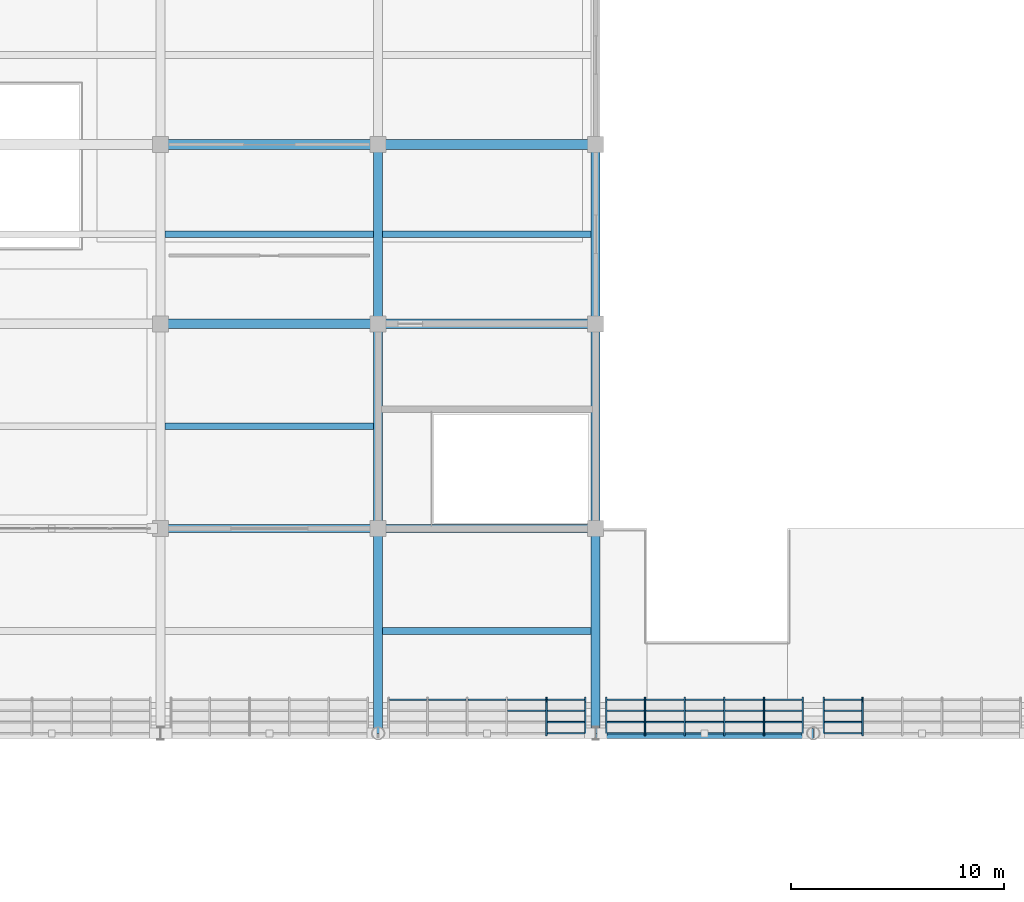
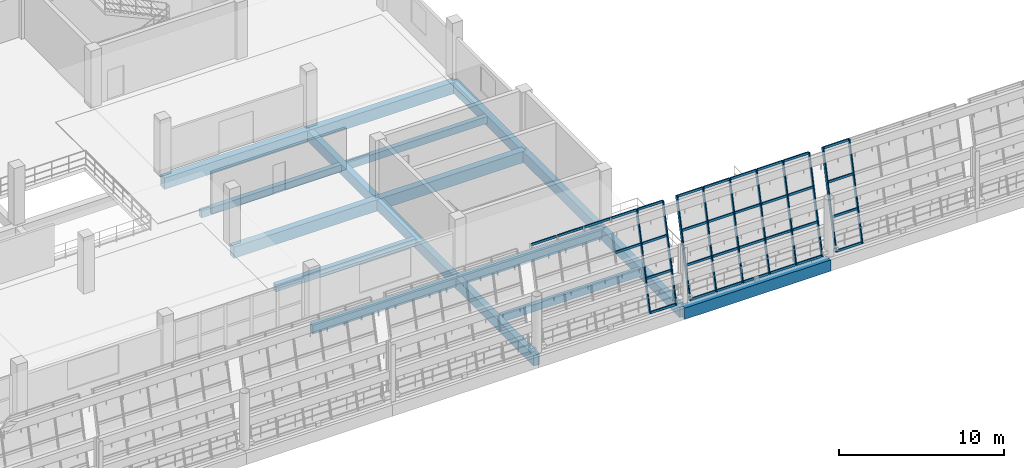
# One storey, part 46 of 157: 43 members, 17 beams, 3 elements without a shape of their own.
"""IFC4 building model written with IfcOpenShell, lengths in metres."""

from ifc_helpers import new_model, si_unit, direction, frame, origin, origin_2d, place, context, subcontext, project, spatial, rectangle, hollow_rectangle, extrude, material, material_profile, profile_set, type_object, element, aggregate, save


model = new_model("IFC4")

# Units and contexts
model_context = context("Model", 3, precision=1e-05, world=origin(), true_north=direction((0.0, 1.0)))
body_context = subcontext(model_context, "Body", "Model", "MODEL_VIEW")
ifc_project = project(units=[si_unit("LENGTHUNIT", "METRE"), si_unit("AREAUNIT", "SQUARE_METRE"), si_unit("VOLUMEUNIT", "CUBIC_METRE"), si_unit("PLANEANGLEUNIT", "RADIAN"), si_unit("MASSUNIT", "GRAM", prefix="KILO")], contexts=[model_context])

# Site, building, storey
site_placement = place(None, origin())
site = spatial("IfcSite", under=ifc_project, at=site_placement, CompositionType="ELEMENT")
building_placement = place(site_placement, origin())
building = spatial("IfcBuilding", under=site, at=building_placement, Name="Brelvane Convention Centre", CompositionType="ELEMENT")
storey_placement = place(building_placement, frame((0.0, 0.0, 10.800048828125)))
storey = spatial("IfcBuildingStorey", under=building, at=storey_placement, Name="L02", CompositionType="ELEMENT", Elevation=10.800048828125)

# Curtain wall, members
ifc_material_1 = material(Name="Anodised Aluminium Alloy 6063-T6", Category="aluminium")
curtain_wall_type = type_object("IfcCurtainWallType", Name="Curtain Wall CW-HULL-N", PredefinedType="USERDEFINED", material=ifc_material_1)
curtain_wall_1_placement = place(storey_placement, origin())
curtain_wall_1 = element("IfcCurtainWall", 1, at=curtain_wall_1_placement, inside=storey, type_object=curtain_wall_type, Name="Curtain Wall CW-HULL-N L02-V1N-HULL-11", ObjectType="UNITISED", PredefinedType="USERDEFINED")
ifc_material_2 = material(Name="Anodised Aluminium Alloy 6063-T6", Category="aluminium")
ifc_material_profile_1 = material_profile(ifc_material_2, hollow_rectangle(XDim=0.080078125, YDim=0.239990234375, WallThickness=0.006103515625, InnerFilletRadius=0.006103515625, OuterFilletRadius=0.011962890625, at=origin_2d()), Name="ALU-M 240x80x6.0")
ifc_profile_set_1 = profile_set([ifc_material_profile_1], Name="Anodised Aluminium Alloy 6063-T6")
member_type_1 = type_object("IfcMemberType", Name="Curtain Mullion CW-M1", PredefinedType="MULLION", material=ifc_profile_set_1)
member_1_placement = place(storey_placement, frame((109.889892578125, 99.60009765625, 0.0), z_axis=(0.0, 0.228324840492, 0.973585007698), x_axis=(-1.0, 0.0, 0.0)))
member_1 = element("IfcMember", 2, at=member_1_placement, type_object=member_type_1, Name="CW-HULL-N mullion 5", PredefinedType="MULLION", context=body_context, shape_type="SweptSolid", body=[
    extrude(hollow_rectangle(XDim=0.080078125, YDim=0.239990234375, WallThickness=0.006103515625, InnerFilletRadius=0.006103515625, OuterFilletRadius=0.011962890625, at=origin_2d()), origin(), (0.0, 0.0, 1.0), 6.93310546875),
])
member_2_placement = place(storey_placement, frame((111.7099609375, 99.60009765625, 0.0), z_axis=(0.0, 0.228324840492, 0.973585007698), x_axis=(-1.0, 0.0, 0.0)))
member_2 = element("IfcMember", 3, at=member_2_placement, type_object=member_type_1, Name="CW-HULL-N mullion 6", PredefinedType="MULLION", context=body_context, shape_type="SweptSolid", body=[
    extrude(hollow_rectangle(XDim=0.080078125, YDim=0.239990234375, WallThickness=0.006103515625, InnerFilletRadius=0.006103515625, OuterFilletRadius=0.011962890625, at=origin_2d()), origin(), (0.0, 0.0, 1.0), 6.93310546875),
])

curtain_wall_2_placement = place(storey_placement, origin())
curtain_wall_2 = element("IfcCurtainWall", 4, at=curtain_wall_2_placement, inside=storey, type_object=curtain_wall_type, Name="Curtain Wall CW-HULL-N L02-V1N-HULL-12", ObjectType="UNITISED", PredefinedType="USERDEFINED")
member_3_placement = place(storey_placement, frame((112.68994140625, 99.60009765625, 0.0), z_axis=(0.0, 0.228324840492, 0.973585007698), x_axis=(-1.0, 0.0, 0.0)))
member_3 = element("IfcMember", 5, at=member_3_placement, type_object=member_type_1, Name="CW-HULL-N mullion 1", PredefinedType="MULLION", context=body_context, shape_type="SweptSolid", body=[
    extrude(hollow_rectangle(XDim=0.080078125, YDim=0.239990234375, WallThickness=0.006103515625, InnerFilletRadius=0.006103515625, OuterFilletRadius=0.011962890625, at=origin_2d()), origin(), (0.0, 0.0, 1.0), 6.93310546875),
])
member_4_placement = place(storey_placement, frame((114.510009765625, 99.60009765625, 0.0), z_axis=(0.0, 0.228324840492, 0.973585007698), x_axis=(-1.0, 0.0, 0.0)))
member_4 = element("IfcMember", 6, at=member_4_placement, type_object=member_type_1, Name="CW-HULL-N mullion 2", PredefinedType="MULLION", context=body_context, shape_type="SweptSolid", body=[
    extrude(hollow_rectangle(XDim=0.080078125, YDim=0.239990234375, WallThickness=0.006103515625, InnerFilletRadius=0.006103515625, OuterFilletRadius=0.011962890625, at=origin_2d()), origin(), (0.0, 0.0, 1.0), 6.93310546875),
])
member_5_placement = place(storey_placement, frame((116.3701171875, 99.60009765625, 0.0), z_axis=(0.0, 0.228324840492, 0.973585007698), x_axis=(-1.0, 0.0, 0.0)))
member_5 = element("IfcMember", 7, at=member_5_placement, type_object=member_type_1, Name="CW-HULL-N mullion 3", PredefinedType="MULLION", context=body_context, shape_type="SweptSolid", body=[
    extrude(hollow_rectangle(XDim=0.080078125, YDim=0.239990234375, WallThickness=0.006103515625, InnerFilletRadius=0.006103515625, OuterFilletRadius=0.011962890625, at=origin_2d()), origin(), (0.0, 0.0, 1.0), 6.93310546875),
])
member_6_placement = place(storey_placement, frame((118.22998046875, 99.60009765625, 0.0), z_axis=(0.0, 0.228324840492, 0.973585007698), x_axis=(-1.0, 0.0, 0.0)))
member_6 = element("IfcMember", 8, at=member_6_placement, type_object=member_type_1, Name="CW-HULL-N mullion 4", PredefinedType="MULLION", context=body_context, shape_type="SweptSolid", body=[
    extrude(hollow_rectangle(XDim=0.080078125, YDim=0.239990234375, WallThickness=0.006103515625, InnerFilletRadius=0.006103515625, OuterFilletRadius=0.011962890625, at=origin_2d()), origin(), (0.0, 0.0, 1.0), 6.93310546875),
])
member_7_placement = place(storey_placement, frame((120.090087890625, 99.60009765625, 0.0), z_axis=(0.0, 0.228324840492, 0.973585007698), x_axis=(-1.0, 0.0, 0.0)))
member_7 = element("IfcMember", 9, at=member_7_placement, type_object=member_type_1, Name="CW-HULL-N mullion 5", PredefinedType="MULLION", context=body_context, shape_type="SweptSolid", body=[
    extrude(hollow_rectangle(XDim=0.080078125, YDim=0.239990234375, WallThickness=0.006103515625, InnerFilletRadius=0.006103515625, OuterFilletRadius=0.011962890625, at=origin_2d()), origin(), (0.0, 0.0, 1.0), 6.93310546875),
])
member_8_placement = place(storey_placement, frame((121.909912109375, 99.60009765625, 0.0), z_axis=(0.0, 0.228324840492, 0.973585007698), x_axis=(-1.0, 0.0, 0.0)))
member_8 = element("IfcMember", 10, at=member_8_placement, type_object=member_type_1, Name="CW-HULL-N mullion 6", PredefinedType="MULLION", context=body_context, shape_type="SweptSolid", body=[
    extrude(hollow_rectangle(XDim=0.080078125, YDim=0.239990234375, WallThickness=0.006103515625, InnerFilletRadius=0.006103515625, OuterFilletRadius=0.011962890625, at=origin_2d()), origin(), (0.0, 0.0, 1.0), 6.93310546875),
])

curtain_wall_3_placement = place(storey_placement, origin())
curtain_wall_3 = element("IfcCurtainWall", 11, at=curtain_wall_3_placement, inside=storey, type_object=curtain_wall_type, Name="Curtain Wall CW-HULL-N L02-V1N-HULL-13", ObjectType="UNITISED", PredefinedType="USERDEFINED")
member_9_placement = place(storey_placement, frame((122.889892578125, 99.60009765625, 0.0), z_axis=(0.0, 0.228324840492, 0.973585007698), x_axis=(-1.0, 0.0, 0.0)))
member_9 = element("IfcMember", 12, at=member_9_placement, type_object=member_type_1, Name="CW-HULL-N mullion 1", PredefinedType="MULLION", context=body_context, shape_type="SweptSolid", body=[
    extrude(hollow_rectangle(XDim=0.080078125, YDim=0.239990234375, WallThickness=0.006103515625, InnerFilletRadius=0.006103515625, OuterFilletRadius=0.011962890625, at=origin_2d()), origin(), (0.0, 0.0, 1.0), 6.93310546875),
])
member_10_placement = place(storey_placement, frame((124.7099609375, 99.60009765625, 0.0), z_axis=(0.0, 0.228324840492, 0.973585007698), x_axis=(-1.0, 0.0, 0.0)))
member_10 = element("IfcMember", 13, at=member_10_placement, type_object=member_type_1, Name="CW-HULL-N mullion 2", PredefinedType="MULLION", context=body_context, shape_type="SweptSolid", body=[
    extrude(hollow_rectangle(XDim=0.080078125, YDim=0.239990234375, WallThickness=0.006103515625, InnerFilletRadius=0.006103515625, OuterFilletRadius=0.011962890625, at=origin_2d()), origin(), (0.0, 0.0, 1.0), 6.93310546875),
])

# Member
ifc_material_3 = material(Name="Anodised Aluminium Alloy 6063-T6", Category="aluminium")
ifc_material_profile_2 = material_profile(ifc_material_3, hollow_rectangle(XDim=0.080078125, YDim=0.179931640625, WallThickness=0.0048828125, InnerFilletRadius=0.0048828125, OuterFilletRadius=0.010009765625, at=origin_2d()), Name="ALU-T 180x80x5.0")
ifc_profile_set_2 = profile_set([ifc_material_profile_2], Name="Anodised Aluminium Alloy 6063-T6")
member_type_2 = type_object("IfcMemberType", Name="Curtain Transom CW-T1", PredefinedType="USERDEFINED", material=ifc_profile_set_2)
member_11_placement = place(storey_placement, frame((102.530029296875, 101.173828125, 6.7099609375), z_axis=(1.0, 0.0, 0.0), x_axis=(0.0, 1.0, 0.0)))
member_11 = element("IfcMember", 14, at=member_11_placement, type_object=member_type_2, Name="CW-HULL-N transom 1.4", ObjectType="TRANSOM", PredefinedType="USERDEFINED", context=body_context, shape_type="SweptSolid", body=[
    extrude(hollow_rectangle(XDim=0.080078125, YDim=0.179931640625, WallThickness=0.0048828125, InnerFilletRadius=0.0048828125, OuterFilletRadius=0.010009765625, at=origin_2d()), origin(), (0.0, 0.0, 1.0), 1.739990234375),
])

member_12_placement = place(storey_placement, frame((104.35009765625, 101.173828125, 6.7099609375), z_axis=(1.0, 0.0, 0.0), x_axis=(0.0, 1.0, 0.0)))
member_12 = element("IfcMember", 15, at=member_12_placement, type_object=member_type_2, Name="CW-HULL-N transom 2.4", ObjectType="TRANSOM", PredefinedType="USERDEFINED", context=body_context, shape_type="SweptSolid", body=[
    extrude(hollow_rectangle(XDim=0.080078125, YDim=0.179931640625, WallThickness=0.0048828125, InnerFilletRadius=0.0048828125, OuterFilletRadius=0.010009765625, at=origin_2d()), origin(), (0.0, 0.0, 1.0), 1.77978515625),
])

member_13_placement = place(storey_placement, frame((106.2099609375, 101.173828125, 6.7099609375), z_axis=(1.0, 0.0, 0.0), x_axis=(0.0, 1.0, 0.0)))
member_13 = element("IfcMember", 16, at=member_13_placement, type_object=member_type_2, Name="CW-HULL-N transom 3.4", ObjectType="TRANSOM", PredefinedType="USERDEFINED", context=body_context, shape_type="SweptSolid", body=[
    extrude(hollow_rectangle(XDim=0.080078125, YDim=0.179931640625, WallThickness=0.0048828125, InnerFilletRadius=0.0048828125, OuterFilletRadius=0.010009765625, at=origin_2d()), origin(), (0.0, 0.0, 1.0), 1.780029296875),
])

member_14_placement = place(storey_placement, frame((108.070068359375, 100.655517578125, 4.5), z_axis=(1.0, 0.0, 0.0), x_axis=(0.0, 1.0, 0.0)))
member_14 = element("IfcMember", 17, at=member_14_placement, type_object=member_type_2, Name="CW-HULL-N transom 4.3", ObjectType="TRANSOM", PredefinedType="USERDEFINED", context=body_context, shape_type="SweptSolid", body=[
    extrude(hollow_rectangle(XDim=0.080078125, YDim=0.179931640625, WallThickness=0.0048828125, InnerFilletRadius=0.0048828125, OuterFilletRadius=0.010009765625, at=origin_2d()), origin(), (0.0, 0.0, 1.0), 1.780029296875),
])

member_15_placement = place(storey_placement, frame((108.070068359375, 101.173828125, 6.7099609375), z_axis=(1.0, 0.0, 0.0), x_axis=(0.0, 1.0, 0.0)))
member_15 = element("IfcMember", 18, at=member_15_placement, type_object=member_type_2, Name="CW-HULL-N transom 4.4", ObjectType="TRANSOM", PredefinedType="USERDEFINED", context=body_context, shape_type="SweptSolid", body=[
    extrude(hollow_rectangle(XDim=0.080078125, YDim=0.179931640625, WallThickness=0.0048828125, InnerFilletRadius=0.0048828125, OuterFilletRadius=0.010009765625, at=origin_2d()), origin(), (0.0, 0.0, 1.0), 1.780029296875),
])

member_16_placement = place(storey_placement, frame((109.929931640625, 99.609375, 0.0400390625), z_axis=(1.0, 0.0, 0.0), x_axis=(0.0, 1.0, 0.0)))
member_16 = element("IfcMember", 19, at=member_16_placement, type_object=member_type_2, Name="CW-HULL-N transom 5.1", ObjectType="TRANSOM", PredefinedType="USERDEFINED", context=body_context, shape_type="SweptSolid", body=[
    extrude(hollow_rectangle(XDim=0.080078125, YDim=0.179931640625, WallThickness=0.0048828125, InnerFilletRadius=0.0048828125, OuterFilletRadius=0.010009765625, at=origin_2d()), origin(), (0.0, 0.0, 1.0), 1.739990234375),
])

member_17_placement = place(storey_placement, frame((109.929931640625, 100.127685546875, 2.25), z_axis=(1.0, 0.0, 0.0), x_axis=(0.0, 1.0, 0.0)))
member_17 = element("IfcMember", 20, at=member_17_placement, type_object=member_type_2, Name="CW-HULL-N transom 5.2", ObjectType="TRANSOM", PredefinedType="USERDEFINED", context=body_context, shape_type="SweptSolid", body=[
    extrude(hollow_rectangle(XDim=0.080078125, YDim=0.179931640625, WallThickness=0.0048828125, InnerFilletRadius=0.0048828125, OuterFilletRadius=0.010009765625, at=origin_2d()), origin(), (0.0, 0.0, 1.0), 1.739990234375),
])

member_18_placement = place(storey_placement, frame((109.929931640625, 100.655517578125, 4.5), z_axis=(1.0, 0.0, 0.0), x_axis=(0.0, 1.0, 0.0)))
member_18 = element("IfcMember", 21, at=member_18_placement, type_object=member_type_2, Name="CW-HULL-N transom 5.3", ObjectType="TRANSOM", PredefinedType="USERDEFINED", context=body_context, shape_type="SweptSolid", body=[
    extrude(hollow_rectangle(XDim=0.080078125, YDim=0.179931640625, WallThickness=0.0048828125, InnerFilletRadius=0.0048828125, OuterFilletRadius=0.010009765625, at=origin_2d()), origin(), (0.0, 0.0, 1.0), 1.739990234375),
])

member_19_placement = place(storey_placement, frame((109.929931640625, 101.173828125, 6.7099609375), z_axis=(1.0, 0.0, 0.0), x_axis=(0.0, 1.0, 0.0)))
member_19 = element("IfcMember", 22, at=member_19_placement, type_object=member_type_2, Name="CW-HULL-N transom 5.4", ObjectType="TRANSOM", PredefinedType="USERDEFINED", context=body_context, shape_type="SweptSolid", body=[
    extrude(hollow_rectangle(XDim=0.080078125, YDim=0.179931640625, WallThickness=0.0048828125, InnerFilletRadius=0.0048828125, OuterFilletRadius=0.010009765625, at=origin_2d()), origin(), (0.0, 0.0, 1.0), 1.739990234375),
])

aggregate(curtain_wall_1, [member_1, member_2, member_11, member_12, member_13, member_14, member_15, member_16, member_17, member_18, member_19])

member_20_placement = place(storey_placement, frame((112.72998046875, 99.609375, 0.0400390625), z_axis=(1.0, 0.0, 0.0), x_axis=(0.0, 1.0, 0.0)))
member_20 = element("IfcMember", 23, at=member_20_placement, type_object=member_type_2, Name="CW-HULL-N transom 1.1", ObjectType="TRANSOM", PredefinedType="USERDEFINED", context=body_context, shape_type="SweptSolid", body=[
    extrude(hollow_rectangle(XDim=0.080078125, YDim=0.179931640625, WallThickness=0.0048828125, InnerFilletRadius=0.0048828125, OuterFilletRadius=0.010009765625, at=origin_2d()), origin(), (0.0, 0.0, 1.0), 1.739990234375),
])

member_21_placement = place(storey_placement, frame((112.72998046875, 100.127685546875, 2.25), z_axis=(1.0, 0.0, 0.0), x_axis=(0.0, 1.0, 0.0)))
member_21 = element("IfcMember", 24, at=member_21_placement, type_object=member_type_2, Name="CW-HULL-N transom 1.2", ObjectType="TRANSOM", PredefinedType="USERDEFINED", context=body_context, shape_type="SweptSolid", body=[
    extrude(hollow_rectangle(XDim=0.080078125, YDim=0.179931640625, WallThickness=0.0048828125, InnerFilletRadius=0.0048828125, OuterFilletRadius=0.010009765625, at=origin_2d()), origin(), (0.0, 0.0, 1.0), 1.739990234375),
])

member_22_placement = place(storey_placement, frame((112.72998046875, 100.655517578125, 4.5), z_axis=(1.0, 0.0, 0.0), x_axis=(0.0, 1.0, 0.0)))
member_22 = element("IfcMember", 25, at=member_22_placement, type_object=member_type_2, Name="CW-HULL-N transom 1.3", ObjectType="TRANSOM", PredefinedType="USERDEFINED", context=body_context, shape_type="SweptSolid", body=[
    extrude(hollow_rectangle(XDim=0.080078125, YDim=0.179931640625, WallThickness=0.0048828125, InnerFilletRadius=0.0048828125, OuterFilletRadius=0.010009765625, at=origin_2d()), origin(), (0.0, 0.0, 1.0), 1.739990234375),
])

member_23_placement = place(storey_placement, frame((112.72998046875, 101.173828125, 6.7099609375), z_axis=(1.0, 0.0, 0.0), x_axis=(0.0, 1.0, 0.0)))
member_23 = element("IfcMember", 26, at=member_23_placement, type_object=member_type_2, Name="CW-HULL-N transom 1.4", ObjectType="TRANSOM", PredefinedType="USERDEFINED", context=body_context, shape_type="SweptSolid", body=[
    extrude(hollow_rectangle(XDim=0.080078125, YDim=0.179931640625, WallThickness=0.0048828125, InnerFilletRadius=0.0048828125, OuterFilletRadius=0.010009765625, at=origin_2d()), origin(), (0.0, 0.0, 1.0), 1.739990234375),
])

member_24_placement = place(storey_placement, frame((114.550048828125, 99.609375, 0.0400390625), z_axis=(1.0, 0.0, 0.0), x_axis=(0.0, 1.0, 0.0)))
member_24 = element("IfcMember", 27, at=member_24_placement, type_object=member_type_2, Name="CW-HULL-N transom 2.1", ObjectType="TRANSOM", PredefinedType="USERDEFINED", context=body_context, shape_type="SweptSolid", body=[
    extrude(hollow_rectangle(XDim=0.080078125, YDim=0.179931640625, WallThickness=0.0048828125, InnerFilletRadius=0.0048828125, OuterFilletRadius=0.010009765625, at=origin_2d()), origin(), (0.0, 0.0, 1.0), 1.780029296875),
])

member_25_placement = place(storey_placement, frame((114.550048828125, 100.127685546875, 2.25), z_axis=(1.0, 0.0, 0.0), x_axis=(0.0, 1.0, 0.0)))
member_25 = element("IfcMember", 28, at=member_25_placement, type_object=member_type_2, Name="CW-HULL-N transom 2.2", ObjectType="TRANSOM", PredefinedType="USERDEFINED", context=body_context, shape_type="SweptSolid", body=[
    extrude(hollow_rectangle(XDim=0.080078125, YDim=0.179931640625, WallThickness=0.0048828125, InnerFilletRadius=0.0048828125, OuterFilletRadius=0.010009765625, at=origin_2d()), origin(), (0.0, 0.0, 1.0), 1.780029296875),
])

member_26_placement = place(storey_placement, frame((114.550048828125, 100.655517578125, 4.5), z_axis=(1.0, 0.0, 0.0), x_axis=(0.0, 1.0, 0.0)))
member_26 = element("IfcMember", 29, at=member_26_placement, type_object=member_type_2, Name="CW-HULL-N transom 2.3", ObjectType="TRANSOM", PredefinedType="USERDEFINED", context=body_context, shape_type="SweptSolid", body=[
    extrude(hollow_rectangle(XDim=0.080078125, YDim=0.179931640625, WallThickness=0.0048828125, InnerFilletRadius=0.0048828125, OuterFilletRadius=0.010009765625, at=origin_2d()), origin(), (0.0, 0.0, 1.0), 1.780029296875),
])

member_27_placement = place(storey_placement, frame((114.550048828125, 101.173828125, 6.7099609375), z_axis=(1.0, 0.0, 0.0), x_axis=(0.0, 1.0, 0.0)))
member_27 = element("IfcMember", 30, at=member_27_placement, type_object=member_type_2, Name="CW-HULL-N transom 2.4", ObjectType="TRANSOM", PredefinedType="USERDEFINED", context=body_context, shape_type="SweptSolid", body=[
    extrude(hollow_rectangle(XDim=0.080078125, YDim=0.179931640625, WallThickness=0.0048828125, InnerFilletRadius=0.0048828125, OuterFilletRadius=0.010009765625, at=origin_2d()), origin(), (0.0, 0.0, 1.0), 1.780029296875),
])

member_28_placement = place(storey_placement, frame((116.409912109375, 99.609375, 0.0400390625), z_axis=(1.0, 0.0, 0.0), x_axis=(0.0, 1.0, 0.0)))
member_28 = element("IfcMember", 31, at=member_28_placement, type_object=member_type_2, Name="CW-HULL-N transom 3.1", ObjectType="TRANSOM", PredefinedType="USERDEFINED", context=body_context, shape_type="SweptSolid", body=[
    extrude(hollow_rectangle(XDim=0.080078125, YDim=0.179931640625, WallThickness=0.0048828125, InnerFilletRadius=0.0048828125, OuterFilletRadius=0.010009765625, at=origin_2d()), origin(), (0.0, 0.0, 1.0), 1.780029296875),
])

member_29_placement = place(storey_placement, frame((116.409912109375, 100.127685546875, 2.25), z_axis=(1.0, 0.0, 0.0), x_axis=(0.0, 1.0, 0.0)))
member_29 = element("IfcMember", 32, at=member_29_placement, type_object=member_type_2, Name="CW-HULL-N transom 3.2", ObjectType="TRANSOM", PredefinedType="USERDEFINED", context=body_context, shape_type="SweptSolid", body=[
    extrude(hollow_rectangle(XDim=0.080078125, YDim=0.179931640625, WallThickness=0.0048828125, InnerFilletRadius=0.0048828125, OuterFilletRadius=0.010009765625, at=origin_2d()), origin(), (0.0, 0.0, 1.0), 1.780029296875),
])

member_30_placement = place(storey_placement, frame((116.409912109375, 100.655517578125, 4.5), z_axis=(1.0, 0.0, 0.0), x_axis=(0.0, 1.0, 0.0)))
member_30 = element("IfcMember", 33, at=member_30_placement, type_object=member_type_2, Name="CW-HULL-N transom 3.3", ObjectType="TRANSOM", PredefinedType="USERDEFINED", context=body_context, shape_type="SweptSolid", body=[
    extrude(hollow_rectangle(XDim=0.080078125, YDim=0.179931640625, WallThickness=0.0048828125, InnerFilletRadius=0.0048828125, OuterFilletRadius=0.010009765625, at=origin_2d()), origin(), (0.0, 0.0, 1.0), 1.780029296875),
])

member_31_placement = place(storey_placement, frame((116.409912109375, 101.173828125, 6.7099609375), z_axis=(1.0, 0.0, 0.0), x_axis=(0.0, 1.0, 0.0)))
member_31 = element("IfcMember", 34, at=member_31_placement, type_object=member_type_2, Name="CW-HULL-N transom 3.4", ObjectType="TRANSOM", PredefinedType="USERDEFINED", context=body_context, shape_type="SweptSolid", body=[
    extrude(hollow_rectangle(XDim=0.080078125, YDim=0.179931640625, WallThickness=0.0048828125, InnerFilletRadius=0.0048828125, OuterFilletRadius=0.010009765625, at=origin_2d()), origin(), (0.0, 0.0, 1.0), 1.780029296875),
])

member_32_placement = place(storey_placement, frame((118.27001953125, 99.609375, 0.0400390625), z_axis=(1.0, 0.0, 0.0), x_axis=(0.0, 1.0, 0.0)))
member_32 = element("IfcMember", 35, at=member_32_placement, type_object=member_type_2, Name="CW-HULL-N transom 4.1", ObjectType="TRANSOM", PredefinedType="USERDEFINED", context=body_context, shape_type="SweptSolid", body=[
    extrude(hollow_rectangle(XDim=0.080078125, YDim=0.179931640625, WallThickness=0.0048828125, InnerFilletRadius=0.0048828125, OuterFilletRadius=0.010009765625, at=origin_2d()), origin(), (0.0, 0.0, 1.0), 1.780029296875),
])

member_33_placement = place(storey_placement, frame((118.27001953125, 100.127685546875, 2.25), z_axis=(1.0, 0.0, 0.0), x_axis=(0.0, 1.0, 0.0)))
member_33 = element("IfcMember", 36, at=member_33_placement, type_object=member_type_2, Name="CW-HULL-N transom 4.2", ObjectType="TRANSOM", PredefinedType="USERDEFINED", context=body_context, shape_type="SweptSolid", body=[
    extrude(hollow_rectangle(XDim=0.080078125, YDim=0.179931640625, WallThickness=0.0048828125, InnerFilletRadius=0.0048828125, OuterFilletRadius=0.010009765625, at=origin_2d()), origin(), (0.0, 0.0, 1.0), 1.780029296875),
])

member_34_placement = place(storey_placement, frame((118.27001953125, 100.655517578125, 4.5), z_axis=(1.0, 0.0, 0.0), x_axis=(0.0, 1.0, 0.0)))
member_34 = element("IfcMember", 37, at=member_34_placement, type_object=member_type_2, Name="CW-HULL-N transom 4.3", ObjectType="TRANSOM", PredefinedType="USERDEFINED", context=body_context, shape_type="SweptSolid", body=[
    extrude(hollow_rectangle(XDim=0.080078125, YDim=0.179931640625, WallThickness=0.0048828125, InnerFilletRadius=0.0048828125, OuterFilletRadius=0.010009765625, at=origin_2d()), origin(), (0.0, 0.0, 1.0), 1.780029296875),
])

member_35_placement = place(storey_placement, frame((118.27001953125, 101.173828125, 6.7099609375), z_axis=(1.0, 0.0, 0.0), x_axis=(0.0, 1.0, 0.0)))
member_35 = element("IfcMember", 38, at=member_35_placement, type_object=member_type_2, Name="CW-HULL-N transom 4.4", ObjectType="TRANSOM", PredefinedType="USERDEFINED", context=body_context, shape_type="SweptSolid", body=[
    extrude(hollow_rectangle(XDim=0.080078125, YDim=0.179931640625, WallThickness=0.0048828125, InnerFilletRadius=0.0048828125, OuterFilletRadius=0.010009765625, at=origin_2d()), origin(), (0.0, 0.0, 1.0), 1.780029296875),
])

member_36_placement = place(storey_placement, frame((120.1298828125, 99.609375, 0.0400390625), z_axis=(1.0, 0.0, 0.0), x_axis=(0.0, 1.0, 0.0)))
member_36 = element("IfcMember", 39, at=member_36_placement, type_object=member_type_2, Name="CW-HULL-N transom 5.1", ObjectType="TRANSOM", PredefinedType="USERDEFINED", context=body_context, shape_type="SweptSolid", body=[
    extrude(hollow_rectangle(XDim=0.080078125, YDim=0.179931640625, WallThickness=0.0048828125, InnerFilletRadius=0.0048828125, OuterFilletRadius=0.010009765625, at=origin_2d()), origin(), (0.0, 0.0, 1.0), 1.740234375),
])

member_37_placement = place(storey_placement, frame((120.1298828125, 100.127685546875, 2.25), z_axis=(1.0, 0.0, 0.0), x_axis=(0.0, 1.0, 0.0)))
member_37 = element("IfcMember", 40, at=member_37_placement, type_object=member_type_2, Name="CW-HULL-N transom 5.2", ObjectType="TRANSOM", PredefinedType="USERDEFINED", context=body_context, shape_type="SweptSolid", body=[
    extrude(hollow_rectangle(XDim=0.080078125, YDim=0.179931640625, WallThickness=0.0048828125, InnerFilletRadius=0.0048828125, OuterFilletRadius=0.010009765625, at=origin_2d()), origin(), (0.0, 0.0, 1.0), 1.740234375),
])

member_38_placement = place(storey_placement, frame((120.1298828125, 100.655517578125, 4.5), z_axis=(1.0, 0.0, 0.0), x_axis=(0.0, 1.0, 0.0)))
member_38 = element("IfcMember", 41, at=member_38_placement, type_object=member_type_2, Name="CW-HULL-N transom 5.3", ObjectType="TRANSOM", PredefinedType="USERDEFINED", context=body_context, shape_type="SweptSolid", body=[
    extrude(hollow_rectangle(XDim=0.080078125, YDim=0.179931640625, WallThickness=0.0048828125, InnerFilletRadius=0.0048828125, OuterFilletRadius=0.010009765625, at=origin_2d()), origin(), (0.0, 0.0, 1.0), 1.740234375),
])

member_39_placement = place(storey_placement, frame((120.1298828125, 101.173828125, 6.7099609375), z_axis=(1.0, 0.0, 0.0), x_axis=(0.0, 1.0, 0.0)))
member_39 = element("IfcMember", 42, at=member_39_placement, type_object=member_type_2, Name="CW-HULL-N transom 5.4", ObjectType="TRANSOM", PredefinedType="USERDEFINED", context=body_context, shape_type="SweptSolid", body=[
    extrude(hollow_rectangle(XDim=0.080078125, YDim=0.179931640625, WallThickness=0.0048828125, InnerFilletRadius=0.0048828125, OuterFilletRadius=0.010009765625, at=origin_2d()), origin(), (0.0, 0.0, 1.0), 1.740234375),
])

aggregate(curtain_wall_2, [member_3, member_4, member_5, member_6, member_7, member_8, member_20, member_21, member_22, member_23, member_24, member_25, member_26, member_27, member_28, member_29, member_30, member_31, member_32, member_33, member_34, member_35, member_36, member_37, member_38, member_39])

member_40_placement = place(storey_placement, frame((122.929931640625, 99.609375, 0.0400390625), z_axis=(1.0, 0.0, 0.0), x_axis=(0.0, 1.0, 0.0)))
member_40 = element("IfcMember", 43, at=member_40_placement, type_object=member_type_2, Name="CW-HULL-N transom 1.1", ObjectType="TRANSOM", PredefinedType="USERDEFINED", context=body_context, shape_type="SweptSolid", body=[
    extrude(hollow_rectangle(XDim=0.080078125, YDim=0.179931640625, WallThickness=0.0048828125, InnerFilletRadius=0.0048828125, OuterFilletRadius=0.010009765625, at=origin_2d()), origin(), (0.0, 0.0, 1.0), 1.739990234375),
])

member_41_placement = place(storey_placement, frame((122.929931640625, 100.127685546875, 2.25), z_axis=(1.0, 0.0, 0.0), x_axis=(0.0, 1.0, 0.0)))
member_41 = element("IfcMember", 44, at=member_41_placement, type_object=member_type_2, Name="CW-HULL-N transom 1.2", ObjectType="TRANSOM", PredefinedType="USERDEFINED", context=body_context, shape_type="SweptSolid", body=[
    extrude(hollow_rectangle(XDim=0.080078125, YDim=0.179931640625, WallThickness=0.0048828125, InnerFilletRadius=0.0048828125, OuterFilletRadius=0.010009765625, at=origin_2d()), origin(), (0.0, 0.0, 1.0), 1.739990234375),
])

member_42_placement = place(storey_placement, frame((122.929931640625, 100.655517578125, 4.5), z_axis=(1.0, 0.0, 0.0), x_axis=(0.0, 1.0, 0.0)))
member_42 = element("IfcMember", 45, at=member_42_placement, type_object=member_type_2, Name="CW-HULL-N transom 1.3", ObjectType="TRANSOM", PredefinedType="USERDEFINED", context=body_context, shape_type="SweptSolid", body=[
    extrude(hollow_rectangle(XDim=0.080078125, YDim=0.179931640625, WallThickness=0.0048828125, InnerFilletRadius=0.0048828125, OuterFilletRadius=0.010009765625, at=origin_2d()), origin(), (0.0, 0.0, 1.0), 1.739990234375),
])

member_43_placement = place(storey_placement, frame((122.929931640625, 101.173828125, 6.7099609375), z_axis=(1.0, 0.0, 0.0), x_axis=(0.0, 1.0, 0.0)))
member_43 = element("IfcMember", 46, at=member_43_placement, type_object=member_type_2, Name="CW-HULL-N transom 1.4", ObjectType="TRANSOM", PredefinedType="USERDEFINED", context=body_context, shape_type="SweptSolid", body=[
    extrude(hollow_rectangle(XDim=0.080078125, YDim=0.179931640625, WallThickness=0.0048828125, InnerFilletRadius=0.0048828125, OuterFilletRadius=0.010009765625, at=origin_2d()), origin(), (0.0, 0.0, 1.0), 1.739990234375),
])

aggregate(curtain_wall_3, [member_9, member_10, member_40, member_41, member_42, member_43])

# Beams
ifc_material_4 = material(Name="Concrete M40", Category="concrete")
ifc_material_profile_3 = material_profile(ifc_material_4, rectangle(XDim=0.4599609375, YDim=0.840087890625, at=origin_2d()), Name="RC 460x840")
ifc_profile_set_3 = profile_set([ifc_material_profile_3], Name="Concrete M40")
beam_type_1 = type_object("IfcBeamType", Name="RC Beam B-RC11 (RC 460x840)", PredefinedType="BEAM", material=ifc_profile_set_3)
for number, where, z_axis, x_axis, name in (
    (47, (91.800048828125, 118.800048828125, -0.699951171875), (1.0, 0.0, 0.0), (0.0, 1.0, 0.0), "L02 Beam 10-11/M"),
    (48, (91.800048828125, 127.199951171875, -0.699951171875), (1.0, 0.0, 0.0), (0.0, 1.0, 0.0), "L02 Beam 10-11/N"),
    (49, (102.0, 118.800048828125, -0.699951171875), (1.0, 0.0, 0.0), (0.0, 1.0, 0.0), "L02 Beam 11-12/M"),
    (50, (102.0, 127.199951171875, -0.699951171875), (1.0, 0.0, 0.0), (0.0, 1.0, 0.0), "L02 Beam 11-12/N"),
    (51, (112.199951171875, 99.60009765625, -0.699951171875), (1.0, 0.0, 0.0), (0.0, 1.0, 0.0), "L02 Beam 12-13/K"),
):
    element("IfcBeam", number, at=place(storey_placement, frame(where, z_axis=z_axis, x_axis=x_axis)), inside=storey, type_object=beam_type_1, Name=name, PredefinedType="BEAM", context=body_context, shape_type="SweptSolid", body=[
        extrude(rectangle(XDim=0.4599609375, YDim=0.840087890625, at=origin_2d()), origin(), (0.0, 0.0, 1.0), 10.199951171875),
    ])
ifc_material_5 = material(Name="Concrete M40", Category="concrete")
ifc_material_profile_4 = material_profile(ifc_material_5, rectangle(XDim=0.419921875, YDim=0.780029296875, at=origin_2d()), Name="RC 420x780")
ifc_profile_set_4 = profile_set([ifc_material_profile_4], Name="Concrete M40")
beam_type_2 = type_object("IfcBeamType", Name="RC Beam B-RC12 (RC 420x780)", PredefinedType="BEAM", material=ifc_profile_set_4)
beam_1_placement = place(storey_placement, frame((102.0, 99.60009765625, -0.670166015625), z_axis=(0.0, 1.0, 0.0), x_axis=(-1.0, 0.0, 0.0)))
element("IfcBeam", 52, at=beam_1_placement, inside=storey, type_object=beam_type_2, Name="L02 Girder 11/K-L", PredefinedType="BEAM", context=body_context, shape_type="SweptSolid", body=[
    extrude(rectangle(XDim=0.419921875, YDim=0.780029296875, at=origin_2d()), origin(), (0.0, 0.0, 1.0), 9.599853515625),
])
beam_2_placement = place(storey_placement, frame((102.0, 109.199951171875, -0.670166015625), z_axis=(0.0, 1.0, 0.0), x_axis=(-1.0, 0.0, 0.0)))
element("IfcBeam", 53, at=beam_2_placement, inside=storey, type_object=beam_type_2, Name="L02 Girder 11/L-M", PredefinedType="BEAM", context=body_context, shape_type="SweptSolid", body=[
    extrude(rectangle(XDim=0.419921875, YDim=0.780029296875, at=origin_2d()), origin(), (0.0, 0.0, 1.0), 9.60009765625),
])
beam_3_placement = place(storey_placement, frame((102.0, 118.800048828125, -0.670166015625), z_axis=(0.0, 1.0, 0.0), x_axis=(-1.0, 0.0, 0.0)))
element("IfcBeam", 54, at=beam_3_placement, inside=storey, type_object=beam_type_2, Name="L02 Girder 11/M-N", PredefinedType="BEAM", context=body_context, shape_type="SweptSolid", body=[
    extrude(rectangle(XDim=0.419921875, YDim=0.780029296875, at=origin_2d()), origin(), (0.0, 0.0, 1.0), 8.39990234375),
])
beam_4_placement = place(storey_placement, frame((112.199951171875, 99.60009765625, -0.670166015625), z_axis=(0.0, 1.0, 0.0), x_axis=(-1.0, 0.0, 0.0)))
element("IfcBeam", 55, at=beam_4_placement, inside=storey, type_object=beam_type_2, Name="L02 Girder 12/K-L", PredefinedType="BEAM", context=body_context, shape_type="SweptSolid", body=[
    extrude(rectangle(XDim=0.419921875, YDim=0.780029296875, at=origin_2d()), origin(), (0.0, 0.0, 1.0), 9.599853515625),
])
beam_5_placement = place(storey_placement, frame((112.199951171875, 109.199951171875, -0.670166015625), z_axis=(0.0, 1.0, 0.0), x_axis=(-1.0, 0.0, 0.0)))
element("IfcBeam", 56, at=beam_5_placement, inside=storey, type_object=beam_type_2, Name="L02 Girder 12/L-M", PredefinedType="BEAM", context=body_context, shape_type="SweptSolid", body=[
    extrude(rectangle(XDim=0.419921875, YDim=0.780029296875, at=origin_2d()), origin(), (0.0, 0.0, 1.0), 9.60009765625),
])
beam_6_placement = place(storey_placement, frame((112.199951171875, 118.800048828125, -0.670166015625), z_axis=(0.0, 1.0, 0.0), x_axis=(-1.0, 0.0, 0.0)))
element("IfcBeam", 57, at=beam_6_placement, inside=storey, type_object=beam_type_2, Name="L02 Girder 12/M-N", PredefinedType="BEAM", context=body_context, shape_type="SweptSolid", body=[
    extrude(rectangle(XDim=0.419921875, YDim=0.780029296875, at=origin_2d()), origin(), (0.0, 0.0, 1.0), 8.39990234375),
])
ifc_material_6 = material(Name="Concrete M40", Category="concrete")
ifc_material_profile_5 = material_profile(ifc_material_6, rectangle(XDim=0.320068359375, YDim=0.52001953125, at=origin_2d()), Name="RC 320x520")
ifc_profile_set_5 = profile_set([ifc_material_profile_5], Name="Concrete M40")
beam_type_3 = type_object("IfcBeamType", Name="RC Joist J-RC4 (RC 320x520)", PredefinedType="JOIST", material=ifc_profile_set_5)
for number, where, z_axis, x_axis, name in (
    (58, (92.010009765625, 114.0, -0.5400390625), (1.0, 0.0, 0.0), (0.0, 1.0, 0.0), "L02 Secondary Joist 10-11/LM"),
    (59, (92.010009765625, 123.0, -0.5400390625), (1.0, 0.0, 0.0), (0.0, 1.0, 0.0), "L02 Secondary Joist 10-11/MN"),
    (60, (102.2099609375, 104.39990234375, -0.5400390625), (1.0, 0.0, 0.0), (0.0, 1.0, 0.0), "L02 Secondary Joist 11-12/KL"),
    (61, (102.2099609375, 123.0, -0.5400390625), (1.0, 0.0, 0.0), (0.0, 1.0, 0.0), "L02 Secondary Joist 11-12/MN"),
):
    element("IfcBeam", number, at=place(storey_placement, frame(where, z_axis=z_axis, x_axis=x_axis)), inside=storey, type_object=beam_type_3, Name=name, PredefinedType="JOIST", context=body_context, shape_type="SweptSolid", body=[
        extrude(rectangle(XDim=0.320068359375, YDim=0.52001953125, at=origin_2d()), origin(), (0.0, 0.0, 1.0), 9.780029296875),
    ])
ifc_material_7 = material(Name="Concrete M40", Category="concrete")
ifc_material_profile_6 = material_profile(ifc_material_7, rectangle(XDim=0.360107421875, YDim=0.639892578125, at=origin_2d()), Name="RC 360x640")
ifc_profile_set_6 = profile_set([ifc_material_profile_6], Name="Concrete M40")
beam_type_4 = type_object("IfcBeamType", Name="RC Spandrel SP-RC3 (RC 360x640)", PredefinedType="SPANDREL", material=ifc_profile_set_6)
for number, where, z_axis, x_axis, name in (
    (62, (91.800048828125, 109.199951171875, -0.60009765625), (1.0, 0.0, 0.0), (0.0, 1.0, 0.0), "L02 Beam 10-11/L"),
    (63, (102.0, 109.199951171875, -0.60009765625), (1.0, 0.0, 0.0), (0.0, 1.0, 0.0), "L02 Beam 11-12/L"),
):
    element("IfcBeam", number, at=place(storey_placement, frame(where, z_axis=z_axis, x_axis=x_axis)), inside=storey, type_object=beam_type_4, Name=name, PredefinedType="SPANDREL", context=body_context, shape_type="SweptSolid", body=[
        extrude(rectangle(XDim=0.360107421875, YDim=0.639892578125, at=origin_2d()), origin(), (0.0, 0.0, 1.0), 10.199951171875),
    ])

save(model, "model.ifc")
